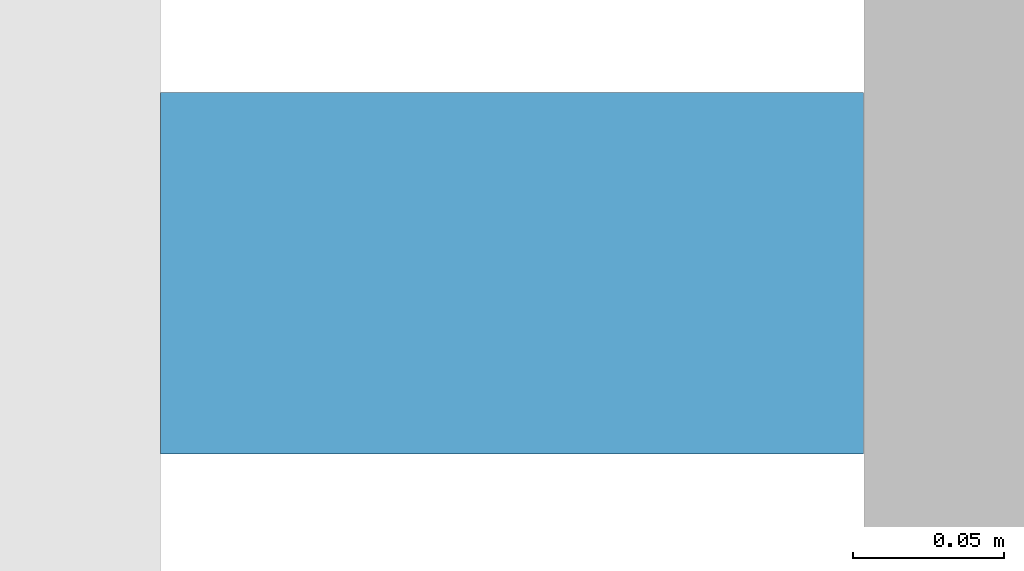
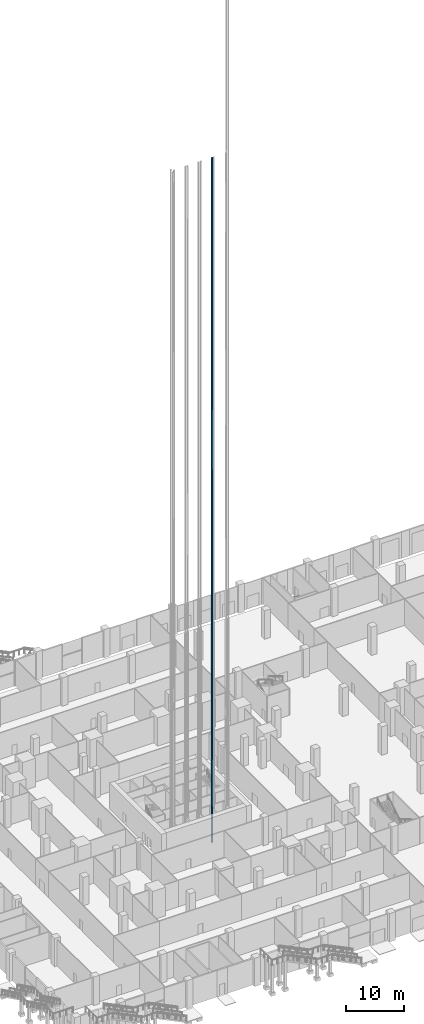
# One storey, part 47 of 68: 1 discrete accessory.
"""IFC4 building model written with IfcOpenShell, lengths in metres."""

from ifc_helpers import new_model, si_unit, direction, frame, origin, origin_2d, place, context, subcontext, project, spatial, rectangle, extrude, element, save


model = new_model("IFC4")

# Units and contexts
model_context = context("Model", 3, precision=1e-05, world=origin(), true_north=direction((0.0, 1.0)))
body_context = subcontext(model_context, "Body", "Model", "MODEL_VIEW")
ifc_project = project(units=[si_unit("LENGTHUNIT", "METRE"), si_unit("AREAUNIT", "SQUARE_METRE"), si_unit("VOLUMEUNIT", "CUBIC_METRE"), si_unit("PLANEANGLEUNIT", "RADIAN"), si_unit("MASSUNIT", "GRAM", prefix="KILO")], contexts=[model_context])

# Site, building, storey
site_placement = place(None, origin())
site = spatial("IfcSite", under=ifc_project, at=site_placement, CompositionType="ELEMENT")
building_placement = place(site_placement, origin())
building = spatial("IfcBuilding", under=site, at=building_placement, Name="Altepetl Exchange Towers", CompositionType="ELEMENT")
storey_placement = place(building_placement, origin())
storey = spatial("IfcBuildingStorey", under=building, at=storey_placement, Name="L00 Ground concourse", CompositionType="ELEMENT", Elevation=0.0)

# Discrete accessory
discrete_accessory_placement = place(storey_placement, frame((51.949951171875, 42.800048828125, -1.60009765625)))
element("IfcDiscreteAccessory", 1, at=discrete_accessory_placement, inside=storey, Name="Guide rail P4", ObjectType="GUIDE RAIL", PredefinedType="USERDEFINED", context=body_context, shape_type="SweptSolid", body=[
    extrude(rectangle(XDim=0.2333984375, YDim=0.1201171875, at=origin_2d()), origin(), (0.0, 0.0, 1.0), 144.85009765625),
])

save(model, "model.ifc")
